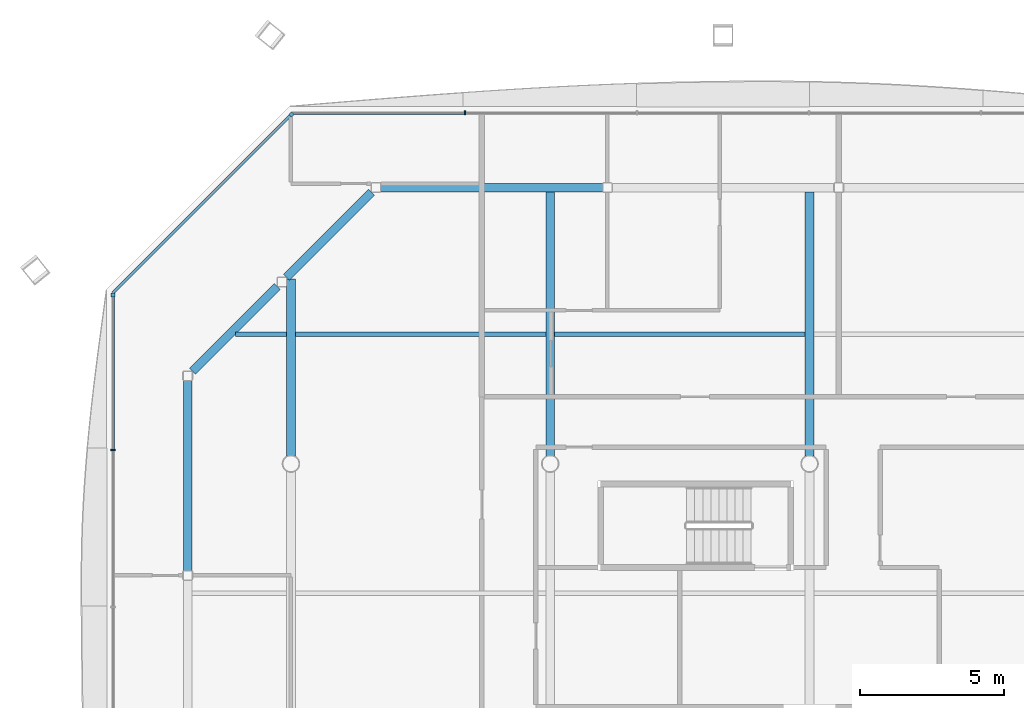
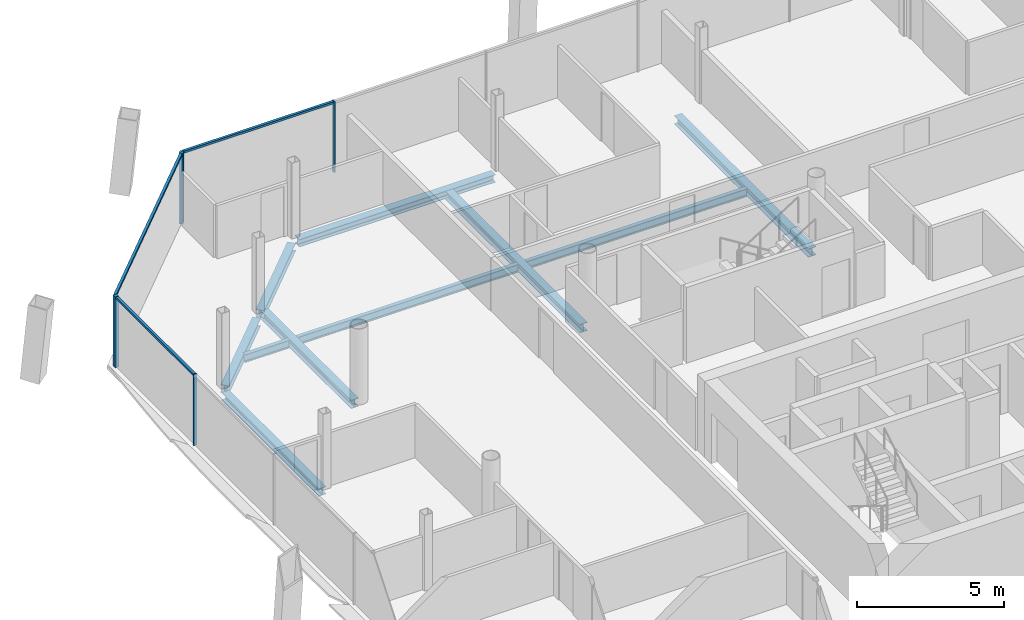
# One storey, part 10 of 20: 10 beams, 7 members, 3 elements without a shape of their own.
"""IFC4 building model written with IfcOpenShell, lengths in metres."""

import ifcopenshell
import ifcopenshell.guid

model = None  # the IFC model being written
_history = None  # IfcOwnerHistory: only IFC2X3 demands one
_inside = {}  # id of a spatial element -> (the spatial element, [elements in it])
_under = {}  # id of a project, library or spatial element -> (it, [spatial elements below it])
_declared = {}  # id of a project -> (the project, [libraries it declares])
_typed = {}  # id of a type object -> (the type object, [elements of that type])
_made_of = {}  # id of a material, layer set ... -> (it, [elements and type objects made of it])


def new_model(schema):
    """Start an empty IFC model of exactly this schema.

    Asked for "IFC4X3", IfcOpenShell would pick the latest addendum, in which some entities
    have other attributes; the version numbers below select the first issue.
    IFC2X3 requires an IfcOwnerHistory on every rooted entity: one is made here for all.
    """
    global model, _history
    if schema == "IFC4X3":
        model = ifcopenshell.file(schema_version=(4, 3, 0, 0))
    else:
        model = ifcopenshell.file(schema=schema)
    _inside.clear()
    _under.clear()
    _declared.clear()
    _typed.clear()
    _made_of.clear()
    _history = None
    if model.schema == "IFC2X3":
        org = make("IfcOrganization", Name="unknown")
        user = make(
            "IfcPersonAndOrganization",
            ThePerson=make("IfcPerson", FamilyName="unknown"),
            TheOrganization=org,
        )
        app = make(
            "IfcApplication",
            ApplicationDeveloper=org,
            Version="unknown",
            ApplicationFullName="unknown",
            ApplicationIdentifier="unknown",
        )
        _history = make(
            "IfcOwnerHistory",
            OwningUser=user,
            OwningApplication=app,
            ChangeAction="ADDED",
            CreationDate=0,
        )
    return model


def make(cls, **values):
    """One entity of the class cls with the attributes given. An attribute that is None is left unset."""
    return model.create_entity(
        cls, **{name: value for name, value in values.items() if value is not None}
    )


def rooted(cls, **values):
    """An entity with a GlobalId (a new one), such as an element, a storey or a relation."""
    return make(cls, GlobalId=ifcopenshell.guid.new(), OwnerHistory=_history, **values)


def si_unit(unit_type, name, prefix=None):
    """IfcSIUnit, for example si_unit("LENGTHUNIT", "METRE", prefix="MILLI")."""
    return make("IfcSIUnit", UnitType=unit_type, Prefix=prefix, Name=name)


def assignment(units):
    """IfcUnitAssignment: the units of a project."""
    return None if units is None else make("IfcUnitAssignment", Units=units)


def point(xyz):
    """IfcCartesianPoint."""
    return None if xyz is None else make("IfcCartesianPoint", Coordinates=xyz)


def direction(xyz):
    """IfcDirection."""
    return None if xyz is None else make("IfcDirection", DirectionRatios=xyz)


def frame(location, z_axis=None, x_axis=None):
    """IfcAxis2Placement3D, a coordinate frame: its origin and axes. An axis left out is left unset."""
    return make(
        "IfcAxis2Placement3D",
        Location=point(location),
        Axis=direction(z_axis),
        RefDirection=direction(x_axis),
    )


def frame_2d(location, x_axis=None):
    """IfcAxis2Placement2D, a coordinate frame in the plane: its origin and x axis."""
    return make(
        "IfcAxis2Placement2D", Location=point(location), RefDirection=direction(x_axis)
    )


def origin():
    """The frame at (0, 0, 0) with its axes left unset."""
    return frame((0.0, 0.0, 0.0))


def origin_2d():
    """The frame at (0, 0) in the plane with its x axis left unset."""
    return frame_2d((0.0, 0.0))


def place(relative_to, where):
    """IfcLocalPlacement: puts the frame where relative to a parent placement (None: the world)."""
    return make(
        "IfcLocalPlacement", PlacementRelTo=relative_to, RelativePlacement=where
    )


def context(
    kind, dimensions, precision=None, world=None, true_north=None, identifier=None
):
    """IfcGeometricRepresentationContext, for example the 3D "Model" context."""
    return make(
        "IfcGeometricRepresentationContext",
        ContextIdentifier=identifier,
        ContextType=kind,
        CoordinateSpaceDimension=dimensions,
        Precision=precision,
        WorldCoordinateSystem=world,
        TrueNorth=true_north,
    )


def subcontext(parent, identifier, kind, view, scale=None):
    """IfcGeometricRepresentationSubContext, for example "Body" below "Model"."""
    return make(
        "IfcGeometricRepresentationSubContext",
        ContextIdentifier=identifier,
        ContextType=kind,
        ParentContext=parent,
        TargetScale=scale,
        TargetView=view,
    )


def project(units=None, contexts=None):
    """IfcProject with its units and contexts."""
    return rooted(
        "IfcProject",
        Name="project",
        RepresentationContexts=contexts,
        UnitsInContext=assignment(units),
    )


def spatial(cls, under=None, at=None, **own):
    """A site, building, storey or space (cls), placed at a placement, below another one or the project."""
    s = rooted(cls, ObjectPlacement=at, **own)
    if under is not None:
        _under.setdefault(under.id(), (under, []))[1].append(s)
    return s


def profile(cls, at=None, kind="AREA", **sizes):
    """A parametric profile (cls). Its sizes go by their IFC names, for example OverallWidth=200.0."""
    return make(cls, ProfileType=kind, Position=at, **sizes)


def rectangle(**sizes):
    """IfcRectangleProfileDef."""
    return profile("IfcRectangleProfileDef", **sizes)


def i_section(**sizes):
    """IfcIShapeProfileDef."""
    return profile("IfcIShapeProfileDef", **sizes)


def extrude(swept, where, along, depth):
    """IfcExtrudedAreaSolid: the profile swept, set in the frame where, extruded along a direction by depth."""
    return make(
        "IfcExtrudedAreaSolid",
        SweptArea=swept,
        Position=where,
        ExtrudedDirection=direction(along),
        Depth=depth,
    )


def shape(context_of_items, identifier, shape_type, items):
    """IfcShapeRepresentation: the items that make up one representation, for example the "Body"."""
    return make(
        "IfcShapeRepresentation",
        ContextOfItems=context_of_items,
        RepresentationIdentifier=identifier,
        RepresentationType=shape_type,
        Items=items,
    )


def material(Name=None, Category=None):
    """IfcMaterial."""
    return make("IfcMaterial", Name=Name, Category=Category)


def material_profile(
    of_material, cross_section, Name=None, Category=None, Priority=None
):
    """IfcMaterialProfile: a cross section and its material."""
    return make(
        "IfcMaterialProfile",
        Name=Name,
        Material=of_material,
        Profile=cross_section,
        Priority=Priority,
        Category=Category,
    )


def profile_set(profiles, Name=None, composite=None):
    """IfcMaterialProfileSet."""
    return make(
        "IfcMaterialProfileSet",
        Name=Name,
        MaterialProfiles=profiles,
        CompositeProfile=composite,
    )


def made_of(thing, what):
    """Note that an element or type object is made of a material, layer set ...; save() writes the relation."""
    if what is not None:
        _made_of.setdefault(what.id(), (what, []))[1].append(thing)
    return thing


def type_object(cls, material=None, **own):
    """A type object (cls), such as IfcWallType, which elements share."""
    return made_of(rooted(cls, **own), material)


def element(
    cls,
    number,
    at=None,
    inside=None,
    cuts=None,
    type_object=None,
    material=None,
    context=None,
    identifier="Body",
    shape_type=None,
    held_by="IfcProductDefinitionShape",
    body=None,
    shapes=None,
    **own,
):
    """One element of the class cls, such as IfcWall. Its Tag is "e" and its number.

    at: its placement. inside: the storey or other place that contains it. cuts: it is an
    opening in that element (IfcRelVoidsElement). A single representation is given by context,
    identifier, shape_type and body (its items); several are given by shapes. held_by: the class
    of the entity that holds the representations. save() writes the other relations.
    """
    e = rooted(cls, Tag="e%d" % number, ObjectPlacement=at, **own)
    if body is not None:
        shapes = [shape(context, identifier, shape_type, body)]
    if shapes is not None:
        e.Representation = make(held_by, Representations=shapes)
    if inside is not None:
        _inside.setdefault(inside.id(), (inside, []))[1].append(e)
    if cuts is not None:
        rooted(
            "IfcRelVoidsElement", RelatingBuildingElement=cuts, RelatedOpeningElement=e
        )
    if type_object is not None:
        _typed.setdefault(type_object.id(), (type_object, []))[1].append(e)
    return made_of(e, material)


def aggregate(whole, parts):
    """IfcRelAggregates: a whole, such as a stair, and the parts it consists of."""
    return rooted("IfcRelAggregates", RelatingObject=whole, RelatedObjects=parts)


def save(model, path):
    """Write the relations noted so far, then the file.

    IfcRelAggregates (storeys below a building ...), IfcRelContainedInSpatialStructure (elements
    in a storey), IfcRelDefinesByType, IfcRelAssociatesMaterial and IfcRelDeclares: one each for
    every whole, place, type object, material and project.
    """
    for whole, parts in _under.values():
        aggregate(whole, parts)
    for where, things in _inside.values():
        rooted(
            "IfcRelContainedInSpatialStructure",
            RelatedElements=things,
            RelatingStructure=where,
        )
    for kind, things in _typed.values():
        rooted("IfcRelDefinesByType", RelatedObjects=things, RelatingType=kind)
    for what, things in _made_of.values():
        rooted("IfcRelAssociatesMaterial", RelatedObjects=things, RelatingMaterial=what)
    for by, libraries in _declared.values():
        rooted("IfcRelDeclares", RelatingContext=by, RelatedDefinitions=libraries)
    model.write(path)


model = new_model("IFC4")

# Units and contexts
model_context = context("Model", 3, precision=1e-05, world=origin(), true_north=direction((0.0, 1.0)))
body_context = subcontext(model_context, "Body", "Model", "MODEL_VIEW")
ifc_project = project(units=[si_unit("LENGTHUNIT", "METRE"), si_unit("AREAUNIT", "SQUARE_METRE"), si_unit("VOLUMEUNIT", "CUBIC_METRE"), si_unit("PLANEANGLEUNIT", "RADIAN"), si_unit("MASSUNIT", "GRAM", prefix="KILO")], contexts=[model_context])

# Site, building, storey
site_placement = place(None, origin())
site = spatial("IfcSite", under=ifc_project, at=site_placement, CompositionType="ELEMENT")
building_placement = place(site_placement, origin())
building = spatial("IfcBuilding", under=site, at=building_placement, Name="Tskaro Facet Tower", CompositionType="ELEMENT")
storey_placement = place(building_placement, frame((0.0, 0.0, 178.5)))
storey = spatial("IfcBuildingStorey", under=building, at=storey_placement, Name="L44", CompositionType="ELEMENT", Elevation=178.5)

# Curtain wall, member
ifc_material_1 = material(Name="Bronze anodised aluminium 6063-T6", Category="aluminium")
curtain_wall_type = type_object("IfcCurtainWallType", Name="Bronze residence curtain wall (FW3)", PredefinedType="NOTDEFINED", material=ifc_material_1)
curtain_wall_1_placement = place(storey_placement, origin())
curtain_wall_1 = element("IfcCurtainWall", 1, at=curtain_wall_1_placement, inside=storey, type_object=curtain_wall_type, Name="FW3 north-west facet L44", PredefinedType="NOTDEFINED")
ifc_material_profile_1 = material_profile(ifc_material_1, rectangle(XDim=0.139892578125, YDim=0.139892578125, at=origin_2d()), Name="Corner post 140x140")
ifc_profile_set_1 = profile_set([ifc_material_profile_1], Name="Bronze anodised aluminium 6063-T6")
member_type_1 = type_object("IfcMemberType", Name="FW3 bronze corner post 140x140", PredefinedType="MULLION", material=ifc_profile_set_1)
member_1_placement = place(storey_placement, frame((-17.98046875, 21.12646484375, 0.0), z_axis=(0.0, 0.0, 1.0), x_axis=(-0.707106781187, -0.707106781187, 0.0)))
member_1 = element("IfcMember", 2, at=member_1_placement, type_object=member_type_1, Name="FW3 north-west corner post", PredefinedType="MULLION", context=body_context, shape_type="SweptSolid", body=[
    extrude(rectangle(XDim=0.139892578125, YDim=0.139892578125, at=origin_2d()), origin(), (0.0, 0.0, 1.0), 2.949951171875),
])

curtain_wall_2_placement = place(storey_placement, origin())
curtain_wall_2 = element("IfcCurtainWall", 3, at=curtain_wall_2_placement, inside=storey, type_object=curtain_wall_type, Name="FW3 west facet L44", PredefinedType="NOTDEFINED")
member_2_placement = place(storey_placement, frame((-24.176025390625, 14.861083984375, 0.0), z_axis=(0.0, 0.0, 1.0), x_axis=(0.0, -1.0, 0.0)))
member_2 = element("IfcMember", 4, at=member_2_placement, type_object=member_type_1, Name="FW3 west corner post", PredefinedType="MULLION", context=body_context, shape_type="SweptSolid", body=[
    extrude(rectangle(XDim=0.139892578125, YDim=0.139892578125, at=origin_2d()), origin(), (0.0, 0.0, 1.0), 2.949951171875),
])

curtain_wall_3_placement = place(storey_placement, origin())
curtain_wall_3 = element("IfcCurtainWall", 5, at=curtain_wall_3_placement, inside=storey, type_object=curtain_wall_type, Name="FW3 north facet L44", PredefinedType="NOTDEFINED")
ifc_material_profile_2 = material_profile(ifc_material_1, rectangle(XDim=0.050048828125, YDim=0.139892578125, at=origin_2d()), Name="Mullion 50x140")
ifc_profile_set_2 = profile_set([ifc_material_profile_2], Name="Bronze anodised aluminium 6063-T6")
member_type_2 = type_object("IfcMemberType", Name="FW3 bronze mullion 50x140", PredefinedType="MULLION", material=ifc_profile_set_2)
member_3_placement = place(storey_placement, frame((-11.95849609375, 21.176025390625, 0.0), z_axis=(0.0, 0.0, 1.0), x_axis=(-1.0, 0.0, 0.0)))
member_3 = element("IfcMember", 6, at=member_3_placement, type_object=member_type_2, Name="FW3 north mullion 4", PredefinedType="MULLION", context=body_context, shape_type="SweptSolid", body=[
    extrude(rectangle(XDim=0.050048828125, YDim=0.139892578125, at=origin_2d()), origin(), (0.0, 0.0, 1.0), 2.949951171875),
])

# Member
member_4_placement = place(storey_placement, frame((-24.176025390625, 9.475830078125, 0.0), z_axis=(0.0, 0.0, 1.0), x_axis=(0.0, -1.0, 0.0)))
member_4 = element("IfcMember", 7, at=member_4_placement, type_object=member_type_2, Name="FW3 west mullion 1", PredefinedType="MULLION", context=body_context, shape_type="SweptSolid", body=[
    extrude(rectangle(XDim=0.050048828125, YDim=0.139892578125, at=origin_2d()), origin(), (0.0, 0.0, 1.0), 2.949951171875),
])

ifc_material_profile_3 = material_profile(ifc_material_1, rectangle(XDim=0.10009765625, YDim=0.090087890625, at=origin_2d()), Name="Transom 100x90")
ifc_profile_set_3 = profile_set([ifc_material_profile_3], Name="Bronze anodised aluminium 6063-T6")
member_type_3 = type_object("IfcMemberType", Name="FW3 bronze transom 100x90", PredefinedType="USERDEFINED", material=ifc_profile_set_3)
member_5_placement = place(storey_placement, frame((-11.983642578125, 21.176025390625, 2.905029296875), z_axis=(-1.0, 0.0, 0.0), x_axis=(0.0, -1.0, 0.0)))
member_5 = element("IfcMember", 8, at=member_5_placement, type_object=member_type_3, Name="FW3 north transom 5.1", ObjectType="TRANSOM", PredefinedType="USERDEFINED", context=body_context, shape_type="SweptSolid", body=[
    extrude(rectangle(XDim=0.10009765625, YDim=0.090087890625, at=origin_2d()), origin(), (0.0, 0.0, 1.0), 5.947265625),
])

aggregate(curtain_wall_3, [member_3, member_5])

member_6_placement = place(storey_placement, frame((-18.030029296875, 21.076904296875, 2.905029296875), z_axis=(-0.707106781187, -0.707106781187, 0.0), x_axis=(0.707106781187, -0.707106781187, 0.0)))
member_6 = element("IfcMember", 9, at=member_6_placement, type_object=member_type_3, Name="FW3 north-west transom 1.1", ObjectType="TRANSOM", PredefinedType="USERDEFINED", context=body_context, shape_type="SweptSolid", body=[
    extrude(rectangle(XDim=0.10009765625, YDim=0.090087890625, at=origin_2d()), origin(), (0.0, 0.0, 1.0), 8.691650390625),
])

aggregate(curtain_wall_1, [member_1, member_6])

member_7_placement = place(storey_placement, frame((-24.176025390625, 14.791015625, 2.905029296875), z_axis=(0.0, -1.0, 0.0), x_axis=(1.0, 0.0, 0.0)))
member_7 = element("IfcMember", 10, at=member_7_placement, type_object=member_type_3, Name="FW3 west transom 1.1", ObjectType="TRANSOM", PredefinedType="USERDEFINED", context=body_context, shape_type="SweptSolid", body=[
    extrude(rectangle(XDim=0.10009765625, YDim=0.090087890625, at=origin_2d()), origin(), (0.0, 0.0, 1.0), 5.290283203125),
])

aggregate(curtain_wall_2, [member_2, member_4, member_7])

# Beams
ifc_material_2 = material(Name="Steel S355J2", Category="steel")
ifc_material_profile_4 = material_profile(ifc_material_2, i_section(OverallWidth=0.300048828125, OverallDepth=0.320068359375, WebThickness=0.011474609375, FlangeThickness=0.0205078125, FilletRadius=0.027099609375, at=origin_2d()), Name="HE 320 B")
ifc_profile_set_4 = profile_set([ifc_material_profile_4], Name="Steel S355J2")
beam_type_1 = type_object("IfcBeamType", Name="HE 320 B ring beam", PredefinedType="BEAM", material=ifc_profile_set_4)
beam_1_placement = place(storey_placement, frame((-7.169921875, 18.5830078125, -0.300048828125), z_axis=(-1.0, 0.0, 0.0), x_axis=(0.0, -1.0, 0.0)))
element("IfcBeam", 11, at=beam_1_placement, inside=storey, type_object=beam_type_1, Name="HE 320 B EB14-4", PredefinedType="BEAM", context=body_context, shape_type="SweptSolid", body=[
    extrude(i_section(OverallWidth=0.300048828125, OverallDepth=0.320068359375, WebThickness=0.011474609375, FlangeThickness=0.0205078125, FilletRadius=0.027099609375, at=origin_2d()), origin(), (0.0, 0.0, 1.0), 7.72119140625),
])
for number, where, z_axis, x_axis, name in (
    (12, (-15.206787109375, 18.422119140625, -0.300048828125), (-0.706989603829, -0.70722393913, 0.0), (0.70722393913, -0.706989603829, 0.0), "HE 320 B EB15-4"),
    (13, (-18.474853515625, 15.153076171875, -0.300048828125), (-0.70722393913, -0.706989603829, 0.0), (0.706989603829, -0.70722393913, 0.0), "HE 320 B EB16-4"),
):
    element("IfcBeam", number, at=place(storey_placement, frame(where, z_axis=z_axis, x_axis=x_axis)), inside=storey, type_object=beam_type_1, Name=name, PredefinedType="BEAM", context=body_context, shape_type="SweptSolid", body=[
        extrude(i_section(OverallWidth=0.300048828125, OverallDepth=0.320068359375, WebThickness=0.011474609375, FlangeThickness=0.0205078125, FilletRadius=0.027099609375, at=origin_2d()), origin(), (0.0, 0.0, 1.0), 4.16748046875),
    ])
beam_2_placement = place(storey_placement, frame((-21.5830078125, 11.89111328125, -0.300048828125), z_axis=(0.0, -1.0, 0.0), x_axis=(1.0, 0.0, 0.0)))
element("IfcBeam", 14, at=beam_2_placement, inside=storey, type_object=beam_type_1, Name="HE 320 B EB17-4", PredefinedType="BEAM", context=body_context, shape_type="SweptSolid", body=[
    extrude(i_section(OverallWidth=0.300048828125, OverallDepth=0.320068359375, WebThickness=0.011474609375, FlangeThickness=0.0205078125, FilletRadius=0.027099609375, at=origin_2d()), origin(), (0.0, 0.0, 1.0), 6.610107421875),
])
ifc_material_profile_5 = material_profile(ifc_material_2, i_section(OverallWidth=0.300048828125, OverallDepth=0.35009765625, WebThickness=0.010009765625, FlangeThickness=0.017578125, FilletRadius=0.027099609375, at=origin_2d()), Name="HE 360 A")
ifc_profile_set_5 = profile_set([ifc_material_profile_5], Name="Steel S355J2")
beam_type_2 = type_object("IfcBeamType", Name="HE 360 A girder", PredefinedType="BEAM", material=ifc_profile_set_5)
beam_3_placement = place(storey_placement, frame((-18.0, 9.27490234375, -0.31494140625), z_axis=(0.0, 1.0, 0.0), x_axis=(-1.0, 0.0, 0.0)))
element("IfcBeam", 15, at=beam_3_placement, inside=storey, type_object=beam_type_2, Name="HE 360 A GB2-4-4", PredefinedType="BEAM", context=body_context, shape_type="SweptSolid", body=[
    extrude(i_section(OverallWidth=0.300048828125, OverallDepth=0.35009765625, WebThickness=0.010009765625, FlangeThickness=0.017578125, FilletRadius=0.027099609375, at=origin_2d()), origin(), (0.0, 0.0, 1.0), 6.14208984375),
])
for number, where, z_axis, x_axis, name in (
    (16, (-9.0, 9.27490234375, -0.31494140625), (0.0, 1.0, 0.0), (-1.0, 0.0, 0.0), "HE 360 A GB3-3-4"),
    (17, (0.0, 9.27490234375, -0.31494140625), (0.0, 1.0, 0.0), (-1.0, 0.0, 0.0), "HE 360 A GB4-3-4"),
):
    element("IfcBeam", number, at=place(storey_placement, frame(where, z_axis=z_axis, x_axis=x_axis)), inside=storey, type_object=beam_type_2, Name=name, PredefinedType="BEAM", context=body_context, shape_type="SweptSolid", body=[
        extrude(i_section(OverallWidth=0.300048828125, OverallDepth=0.35009765625, WebThickness=0.010009765625, FlangeThickness=0.017578125, FilletRadius=0.027099609375, at=origin_2d()), origin(), (0.0, 0.0, 1.0), 9.158203125),
    ])
ifc_material_profile_6 = material_profile(ifc_material_2, i_section(OverallWidth=0.159912109375, OverallDepth=0.330078125, WebThickness=0.007568359375, FlangeThickness=0.011474609375, FilletRadius=0.01806640625, at=origin_2d()), Name="IPE 330")
ifc_profile_set_6 = profile_set([ifc_material_profile_6], Name="Steel S355J2")
beam_type_3 = type_object("IfcBeamType", Name="IPE 330 secondary beam", PredefinedType="BEAM", material=ifc_profile_set_6)
beam_4_placement = place(storey_placement, frame((-19.9169921875, 13.5, -0.304931640625), z_axis=(1.0, 0.0, 0.0), x_axis=(0.0, 1.0, 0.0)))
element("IfcBeam", 18, at=beam_4_placement, inside=storey, type_object=beam_type_3, Name="IPE 330 SB5a-1-4", PredefinedType="BEAM", context=body_context, shape_type="SweptSolid", body=[
    extrude(i_section(OverallWidth=0.159912109375, OverallDepth=0.330078125, WebThickness=0.007568359375, FlangeThickness=0.011474609375, FilletRadius=0.01806640625, at=origin_2d()), origin(), (0.0, 0.0, 1.0), 1.76708984375),
])
for number, where, z_axis, x_axis, name in (
    (19, (-17.85009765625, 13.5, -0.304931640625), (1.0, 0.0, 0.0), (0.0, 1.0, 0.0), "IPE 330 SB5a-2-4"),
    (20, (-8.85009765625, 13.5, -0.304931640625), (1.0, 0.0, 0.0), (0.0, 1.0, 0.0), "IPE 330 SB5a-3-4"),
):
    element("IfcBeam", number, at=place(storey_placement, frame(where, z_axis=z_axis, x_axis=x_axis)), inside=storey, type_object=beam_type_3, Name=name, PredefinedType="BEAM", context=body_context, shape_type="SweptSolid", body=[
        extrude(i_section(OverallWidth=0.159912109375, OverallDepth=0.330078125, WebThickness=0.007568359375, FlangeThickness=0.011474609375, FilletRadius=0.01806640625, at=origin_2d()), origin(), (0.0, 0.0, 1.0), 8.7001953125),
    ])

save(model, "model.ifc")
